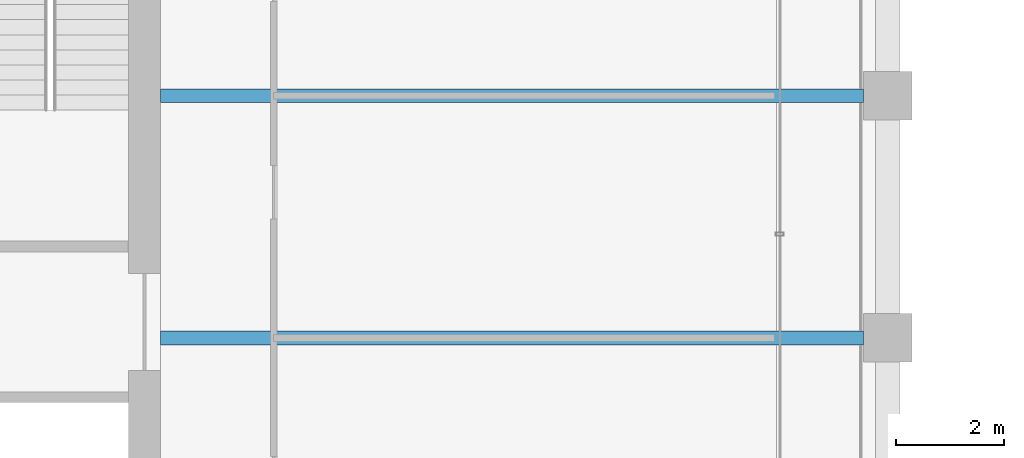
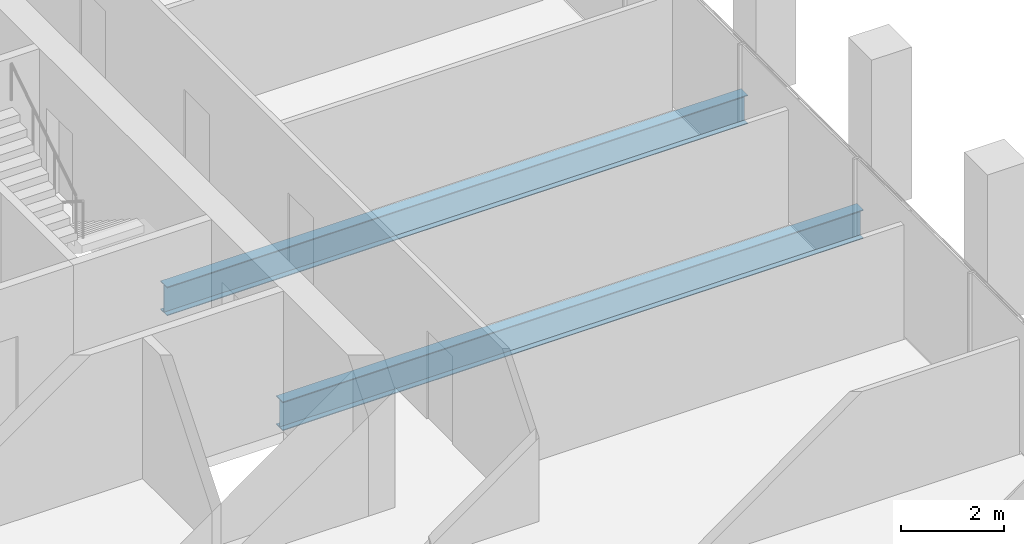
# One storey, part 16 of 40: 2 beams.
"""IFC4 building model written with IfcOpenShell, lengths in metres."""

from ifc_helpers import new_model, si_unit, direction, frame, origin, origin_2d, place, context, subcontext, project, spatial, i_section, extrude, material, material_profile, profile_set, type_object, element, save


model = new_model("IFC4")

# Units and contexts
model_context = context("Model", 3, precision=1e-05, world=origin(), true_north=direction((0.0, 1.0)))
body_context = subcontext(model_context, "Body", "Model", "MODEL_VIEW")
ifc_project = project(units=[si_unit("LENGTHUNIT", "METRE"), si_unit("AREAUNIT", "SQUARE_METRE"), si_unit("VOLUMEUNIT", "CUBIC_METRE"), si_unit("PLANEANGLEUNIT", "RADIAN"), si_unit("MASSUNIT", "GRAM", prefix="KILO")], contexts=[model_context])

# Site, building, storey
site_placement = place(None, origin())
site = spatial("IfcSite", under=ifc_project, at=site_placement, CompositionType="ELEMENT")
building_placement = place(site_placement, origin())
building = spatial("IfcBuilding", under=site, at=building_placement, Name="Altepetl Exchange Towers", CompositionType="ELEMENT")
storey_placement = place(building_placement, frame((0.0, 0.0, 147.39990234375)))
storey = spatial("IfcBuildingStorey", under=building, at=storey_placement, Name="L36", CompositionType="ELEMENT", Elevation=147.39990234375)

# Beams
ifc_material = material(Name="Steel S355", Category="steel")
ifc_material_profile = material_profile(ifc_material, i_section(OverallWidth=0.25390625, OverallDepth=0.68408203125, WebThickness=0.012451171875, FlangeThickness=0.018798828125, at=origin_2d()), Name="W27X94")
ifc_profile_set = profile_set([ifc_material_profile], Name="Steel S355")
beam_type = type_object("IfcBeamType", Name="Floor beam W27X94", PredefinedType="BEAM", material=ifc_profile_set)
for number, where, z_axis, x_axis, name in (
    (1, (58.5, 45.0, -0.491943359375), (1.0, 0.0, 0.0), (0.0, 1.0, 0.0), "bm:A:L36:009"),
    (2, (58.5, 49.5, -0.491943359375), (1.0, 0.0, 0.0), (0.0, 1.0, 0.0), "bm:A:L36:010"),
):
    element("IfcBeam", number, at=place(storey_placement, frame(where, z_axis=z_axis, x_axis=x_axis)), inside=storey, type_object=beam_type, Name=name, PredefinedType="BEAM", context=body_context, shape_type="SweptSolid", body=[
        extrude(i_section(OverallWidth=0.25390625, OverallDepth=0.68408203125, WebThickness=0.012451171875, FlangeThickness=0.018798828125, at=origin_2d()), origin(), (0.0, 0.0, 1.0), 13.050048828125),
    ])

save(model, "model.ifc")
